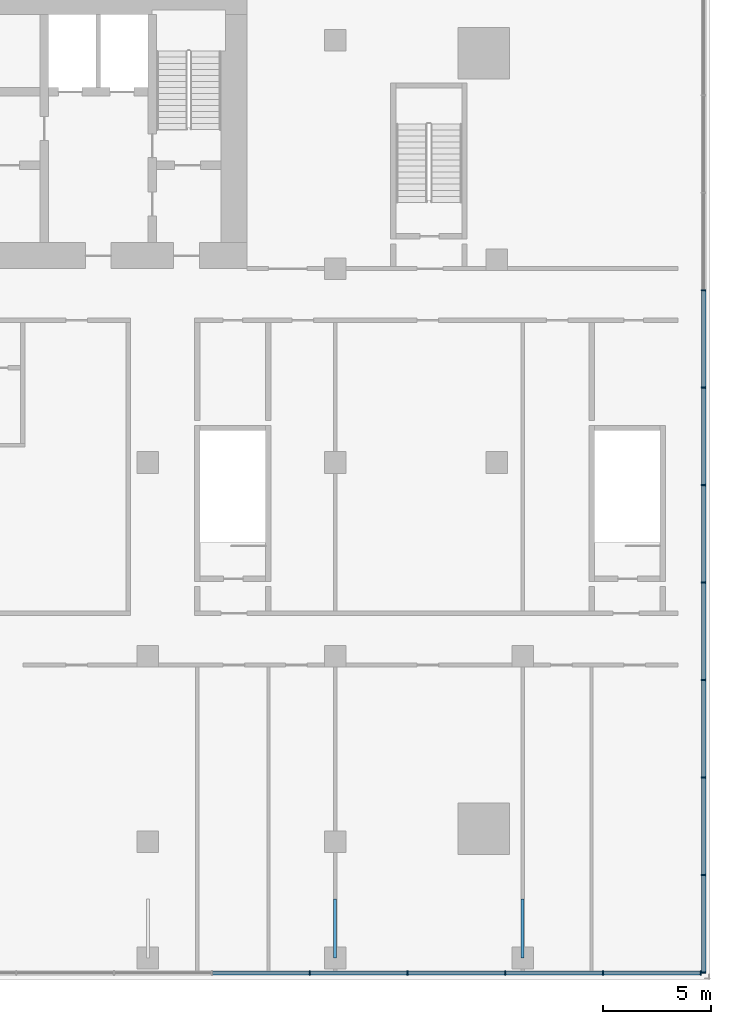
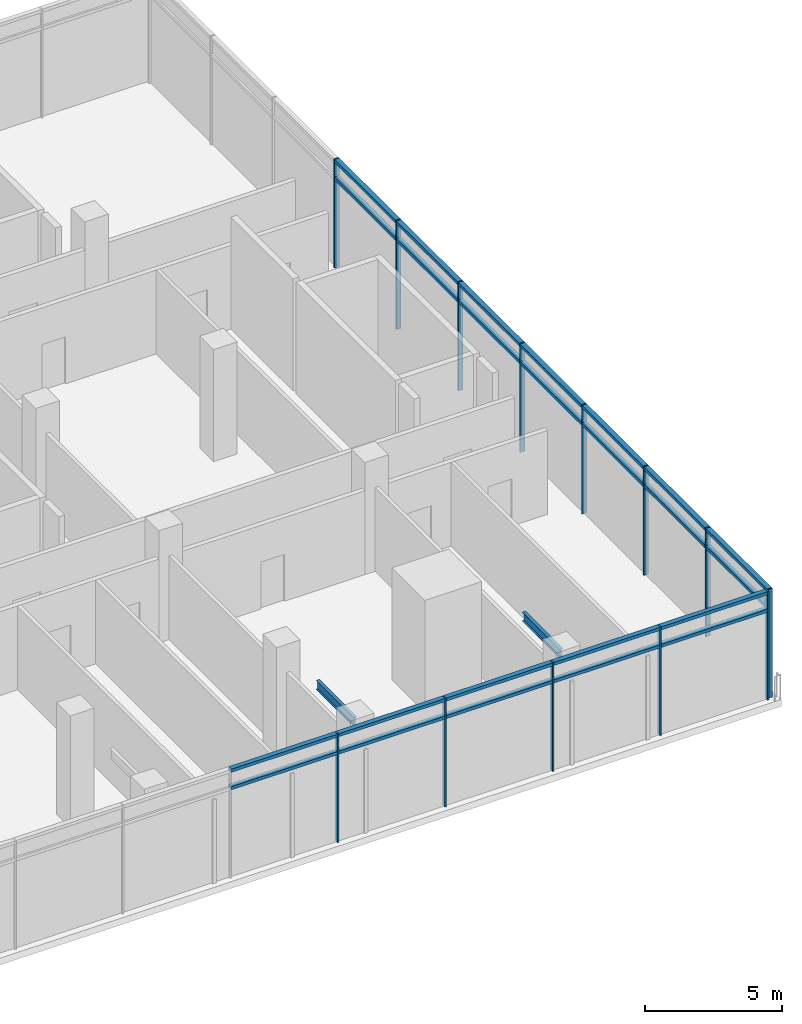
# One storey, part 7 of 17: 37 members, 2 beams, 2 elements without a shape of their own.
"""IFC4 building model written with IfcOpenShell, lengths in metres."""

from ifc_helpers import new_model, si_unit, direction, frame, origin, origin_2d, place, context, subcontext, project, spatial, rectangle, i_section, extrude, material, material_profile, profile_set, type_object, element, aggregate, save


model = new_model("IFC4")

# Units and contexts
model_context = context("Model", 3, precision=1e-05, world=origin(), true_north=direction((0.0, 1.0)))
body_context = subcontext(model_context, "Body", "Model", "MODEL_VIEW")
ifc_project = project(units=[si_unit("LENGTHUNIT", "METRE"), si_unit("AREAUNIT", "SQUARE_METRE"), si_unit("VOLUMEUNIT", "CUBIC_METRE"), si_unit("PLANEANGLEUNIT", "RADIAN"), si_unit("MASSUNIT", "GRAM", prefix="KILO")], contexts=[model_context])

# Site, building, storey
site_placement = place(None, origin())
site = spatial("IfcSite", under=ifc_project, at=site_placement, CompositionType="ELEMENT")
building_placement = place(site_placement, origin())
building = spatial("IfcBuilding", under=site, at=building_placement, Name="Bicima Exchange Tower", CompositionType="ELEMENT")
storey_placement = place(building_placement, frame((0.0, 0.0, 30.0)))
storey = spatial("IfcBuildingStorey", under=building, at=storey_placement, Name="L05", CompositionType="ELEMENT", Elevation=30.0)

# Curtain wall, members
ifc_material_1 = material(Name="Anodised bronze aluminium", Category="aluminium")
curtain_wall_type = type_object("IfcCurtainWallType", Name="Lobby glazing", PredefinedType="NOTDEFINED", material=ifc_material_1)
curtain_wall_1_placement = place(storey_placement, origin())
curtain_wall_1 = element("IfcCurtainWall", 1, at=curtain_wall_1_placement, inside=storey, type_object=curtain_wall_type, Name="Podium glazing L05 south 1", PredefinedType="NOTDEFINED")
ifc_material_profile_1 = material_profile(ifc_material_1, rectangle(XDim=0.199951171875, YDim=0.06005859375, at=origin_2d()))
ifc_profile_set_1 = profile_set([ifc_material_profile_1], Name="Anodised bronze aluminium")
member_type_1 = type_object("IfcMemberType", Name="Lobby glazing mullion 60 x 200", PredefinedType="MULLION", material=ifc_profile_set_1)
member_1_placement = place(storey_placement, frame((24.914306640625, -45.699951171875, 0.0), z_axis=(0.0, 0.0, 1.0), x_axis=(0.0, 1.0, 0.0)))
member_1 = element("IfcMember", 2, at=member_1_placement, type_object=member_type_1, Name="Lobby glazing mullion 16", PredefinedType="MULLION", context=body_context, shape_type="SweptSolid", body=[
    extrude(rectangle(XDim=0.199951171875, YDim=0.06005859375, at=origin_2d()), origin(), (0.0, 0.0, 1.0), 4.85009765625),
])
member_2_placement = place(storey_placement, frame((29.453125, -45.699951171875, 0.0), z_axis=(0.0, 0.0, 1.0), x_axis=(0.0, 1.0, 0.0)))
member_2 = element("IfcMember", 3, at=member_2_placement, type_object=member_type_1, Name="Lobby glazing mullion 17", PredefinedType="MULLION", context=body_context, shape_type="SweptSolid", body=[
    extrude(rectangle(XDim=0.199951171875, YDim=0.06005859375, at=origin_2d()), origin(), (0.0, 0.0, 1.0), 4.85009765625),
])
member_3_placement = place(storey_placement, frame((33.9921875, -45.699951171875, 0.0), z_axis=(0.0, 0.0, 1.0), x_axis=(0.0, 1.0, 0.0)))
member_3 = element("IfcMember", 4, at=member_3_placement, type_object=member_type_1, Name="Lobby glazing mullion 18", PredefinedType="MULLION", context=body_context, shape_type="SweptSolid", body=[
    extrude(rectangle(XDim=0.199951171875, YDim=0.06005859375, at=origin_2d()), origin(), (0.0, 0.0, 1.0), 4.85009765625),
])
member_4_placement = place(storey_placement, frame((38.531005859375, -45.699951171875, 0.0), z_axis=(0.0, 0.0, 1.0), x_axis=(0.0, 1.0, 0.0)))
member_4 = element("IfcMember", 5, at=member_4_placement, type_object=member_type_1, Name="Lobby glazing mullion 19", PredefinedType="MULLION", context=body_context, shape_type="SweptSolid", body=[
    extrude(rectangle(XDim=0.199951171875, YDim=0.06005859375, at=origin_2d()), origin(), (0.0, 0.0, 1.0), 4.85009765625),
])
member_5_placement = place(storey_placement, frame((43.070068359375, -45.699951171875, 0.0), z_axis=(0.0, 0.0, 1.0), x_axis=(0.0, 1.0, 0.0)))
member_5 = element("IfcMember", 6, at=member_5_placement, type_object=member_type_1, Name="Lobby glazing mullion 20", PredefinedType="MULLION", context=body_context, shape_type="SweptSolid", body=[
    extrude(rectangle(XDim=0.199951171875, YDim=0.06005859375, at=origin_2d()), origin(), (0.0, 0.0, 1.0), 4.85009765625),
])

curtain_wall_2_placement = place(storey_placement, origin())
curtain_wall_2 = element("IfcCurtainWall", 7, at=curtain_wall_2_placement, inside=storey, type_object=curtain_wall_type, Name="Podium glazing L05 east 1", PredefinedType="NOTDEFINED")
member_6_placement = place(storey_placement, frame((43.199951171875, -45.669921875, 0.0), z_axis=(0.0, 0.0, 1.0), x_axis=(-1.0, 0.0, 0.0)))
member_6 = element("IfcMember", 8, at=member_6_placement, type_object=member_type_1, Name="Lobby glazing mullion 1", PredefinedType="MULLION", context=body_context, shape_type="SweptSolid", body=[
    extrude(rectangle(XDim=0.199951171875, YDim=0.06005859375, at=origin_2d()), origin(), (0.0, 0.0, 1.0), 4.85009765625),
])
member_7_placement = place(storey_placement, frame((43.199951171875, -41.14599609375, 0.0), z_axis=(0.0, 0.0, 1.0), x_axis=(-1.0, 0.0, 0.0)))
member_7 = element("IfcMember", 9, at=member_7_placement, type_object=member_type_1, Name="Lobby glazing mullion 2", PredefinedType="MULLION", context=body_context, shape_type="SweptSolid", body=[
    extrude(rectangle(XDim=0.199951171875, YDim=0.06005859375, at=origin_2d()), origin(), (0.0, 0.0, 1.0), 4.85009765625),
])
member_8_placement = place(storey_placement, frame((43.199951171875, -36.6220703125, 0.0), z_axis=(0.0, 0.0, 1.0), x_axis=(-1.0, 0.0, 0.0)))
member_8 = element("IfcMember", 10, at=member_8_placement, type_object=member_type_1, Name="Lobby glazing mullion 3", PredefinedType="MULLION", context=body_context, shape_type="SweptSolid", body=[
    extrude(rectangle(XDim=0.199951171875, YDim=0.06005859375, at=origin_2d()), origin(), (0.0, 0.0, 1.0), 4.85009765625),
])
member_9_placement = place(storey_placement, frame((43.199951171875, -32.097900390625, 0.0), z_axis=(0.0, 0.0, 1.0), x_axis=(-1.0, 0.0, 0.0)))
member_9 = element("IfcMember", 11, at=member_9_placement, type_object=member_type_1, Name="Lobby glazing mullion 4", PredefinedType="MULLION", context=body_context, shape_type="SweptSolid", body=[
    extrude(rectangle(XDim=0.199951171875, YDim=0.06005859375, at=origin_2d()), origin(), (0.0, 0.0, 1.0), 4.85009765625),
])
member_10_placement = place(storey_placement, frame((43.199951171875, -27.573974609375, 0.0), z_axis=(0.0, 0.0, 1.0), x_axis=(-1.0, 0.0, 0.0)))
member_10 = element("IfcMember", 12, at=member_10_placement, type_object=member_type_1, Name="Lobby glazing mullion 5", PredefinedType="MULLION", context=body_context, shape_type="SweptSolid", body=[
    extrude(rectangle(XDim=0.199951171875, YDim=0.06005859375, at=origin_2d()), origin(), (0.0, 0.0, 1.0), 4.85009765625),
])
member_11_placement = place(storey_placement, frame((43.199951171875, -23.050048828125, 0.0), z_axis=(0.0, 0.0, 1.0), x_axis=(-1.0, 0.0, 0.0)))
member_11 = element("IfcMember", 13, at=member_11_placement, type_object=member_type_1, Name="Lobby glazing mullion 6", PredefinedType="MULLION", context=body_context, shape_type="SweptSolid", body=[
    extrude(rectangle(XDim=0.199951171875, YDim=0.06005859375, at=origin_2d()), origin(), (0.0, 0.0, 1.0), 4.85009765625),
])
member_12_placement = place(storey_placement, frame((43.199951171875, -18.52587890625, 0.0), z_axis=(0.0, 0.0, 1.0), x_axis=(-1.0, 0.0, 0.0)))
member_12 = element("IfcMember", 14, at=member_12_placement, type_object=member_type_1, Name="Lobby glazing mullion 7", PredefinedType="MULLION", context=body_context, shape_type="SweptSolid", body=[
    extrude(rectangle(XDim=0.199951171875, YDim=0.06005859375, at=origin_2d()), origin(), (0.0, 0.0, 1.0), 4.85009765625),
])
member_13_placement = place(storey_placement, frame((43.199951171875, -14.001953125, 0.0), z_axis=(0.0, 0.0, 1.0), x_axis=(-1.0, 0.0, 0.0)))
member_13 = element("IfcMember", 15, at=member_13_placement, type_object=member_type_1, Name="Lobby glazing mullion 8", PredefinedType="MULLION", context=body_context, shape_type="SweptSolid", body=[
    extrude(rectangle(XDim=0.199951171875, YDim=0.06005859375, at=origin_2d()), origin(), (0.0, 0.0, 1.0), 4.85009765625),
])

# Member
ifc_material_profile_2 = material_profile(ifc_material_1, rectangle(XDim=0.199951171875, YDim=0.139892578125, at=origin_2d()))
ifc_profile_set_2 = profile_set([ifc_material_profile_2], Name="Anodised bronze aluminium")
member_type_2 = type_object("IfcMemberType", Name="Lobby glazing transom 140 x 200", PredefinedType="USERDEFINED", material=ifc_profile_set_2)
member_14_placement = place(storey_placement, frame((20.4052734375, -45.699951171875, 4.0), z_axis=(1.0, 0.0, 0.0), x_axis=(0.0, 1.0, 0.0)))
member_14 = element("IfcMember", 16, at=member_14_placement, type_object=member_type_2, Name="Lobby glazing transom 15.1", ObjectType="TRANSOM", PredefinedType="USERDEFINED", context=body_context, shape_type="SweptSolid", body=[
    extrude(rectangle(XDim=0.199951171875, YDim=0.139892578125, at=origin_2d()), origin(), (0.0, 0.0, 1.0), 4.47900390625),
])

member_15_placement = place(storey_placement, frame((20.4052734375, -45.699951171875, 4.780029296875), z_axis=(1.0, 0.0, 0.0), x_axis=(0.0, 1.0, 0.0)))
member_15 = element("IfcMember", 17, at=member_15_placement, type_object=member_type_2, Name="Lobby glazing transom 15.2", ObjectType="TRANSOM", PredefinedType="USERDEFINED", context=body_context, shape_type="SweptSolid", body=[
    extrude(rectangle(XDim=0.199951171875, YDim=0.139892578125, at=origin_2d()), origin(), (0.0, 0.0, 1.0), 4.47900390625),
])

member_16_placement = place(storey_placement, frame((24.944091796875, -45.699951171875, 4.0), z_axis=(1.0, 0.0, 0.0), x_axis=(0.0, 1.0, 0.0)))
member_16 = element("IfcMember", 18, at=member_16_placement, type_object=member_type_2, Name="Lobby glazing transom 16.1", ObjectType="TRANSOM", PredefinedType="USERDEFINED", context=body_context, shape_type="SweptSolid", body=[
    extrude(rectangle(XDim=0.199951171875, YDim=0.139892578125, at=origin_2d()), origin(), (0.0, 0.0, 1.0), 4.47900390625),
])

member_17_placement = place(storey_placement, frame((24.944091796875, -45.699951171875, 4.780029296875), z_axis=(1.0, 0.0, 0.0), x_axis=(0.0, 1.0, 0.0)))
member_17 = element("IfcMember", 19, at=member_17_placement, type_object=member_type_2, Name="Lobby glazing transom 16.2", ObjectType="TRANSOM", PredefinedType="USERDEFINED", context=body_context, shape_type="SweptSolid", body=[
    extrude(rectangle(XDim=0.199951171875, YDim=0.139892578125, at=origin_2d()), origin(), (0.0, 0.0, 1.0), 4.47900390625),
])

member_18_placement = place(storey_placement, frame((29.483154296875, -45.699951171875, 4.0), z_axis=(1.0, 0.0, 0.0), x_axis=(0.0, 1.0, 0.0)))
member_18 = element("IfcMember", 20, at=member_18_placement, type_object=member_type_2, Name="Lobby glazing transom 17.1", ObjectType="TRANSOM", PredefinedType="USERDEFINED", context=body_context, shape_type="SweptSolid", body=[
    extrude(rectangle(XDim=0.199951171875, YDim=0.139892578125, at=origin_2d()), origin(), (0.0, 0.0, 1.0), 4.47900390625),
])

member_19_placement = place(storey_placement, frame((29.483154296875, -45.699951171875, 4.780029296875), z_axis=(1.0, 0.0, 0.0), x_axis=(0.0, 1.0, 0.0)))
member_19 = element("IfcMember", 21, at=member_19_placement, type_object=member_type_2, Name="Lobby glazing transom 17.2", ObjectType="TRANSOM", PredefinedType="USERDEFINED", context=body_context, shape_type="SweptSolid", body=[
    extrude(rectangle(XDim=0.199951171875, YDim=0.139892578125, at=origin_2d()), origin(), (0.0, 0.0, 1.0), 4.47900390625),
])

member_20_placement = place(storey_placement, frame((34.022216796875, -45.699951171875, 4.0), z_axis=(1.0, 0.0, 0.0), x_axis=(0.0, 1.0, 0.0)))
member_20 = element("IfcMember", 22, at=member_20_placement, type_object=member_type_2, Name="Lobby glazing transom 18.1", ObjectType="TRANSOM", PredefinedType="USERDEFINED", context=body_context, shape_type="SweptSolid", body=[
    extrude(rectangle(XDim=0.199951171875, YDim=0.139892578125, at=origin_2d()), origin(), (0.0, 0.0, 1.0), 4.47900390625),
])

member_21_placement = place(storey_placement, frame((34.022216796875, -45.699951171875, 4.780029296875), z_axis=(1.0, 0.0, 0.0), x_axis=(0.0, 1.0, 0.0)))
member_21 = element("IfcMember", 23, at=member_21_placement, type_object=member_type_2, Name="Lobby glazing transom 18.2", ObjectType="TRANSOM", PredefinedType="USERDEFINED", context=body_context, shape_type="SweptSolid", body=[
    extrude(rectangle(XDim=0.199951171875, YDim=0.139892578125, at=origin_2d()), origin(), (0.0, 0.0, 1.0), 4.47900390625),
])

member_22_placement = place(storey_placement, frame((38.56103515625, -45.699951171875, 4.0), z_axis=(1.0, 0.0, 0.0), x_axis=(0.0, 1.0, 0.0)))
member_22 = element("IfcMember", 24, at=member_22_placement, type_object=member_type_2, Name="Lobby glazing transom 19.1", ObjectType="TRANSOM", PredefinedType="USERDEFINED", context=body_context, shape_type="SweptSolid", body=[
    extrude(rectangle(XDim=0.199951171875, YDim=0.139892578125, at=origin_2d()), origin(), (0.0, 0.0, 1.0), 4.47900390625),
])

member_23_placement = place(storey_placement, frame((38.56103515625, -45.699951171875, 4.780029296875), z_axis=(1.0, 0.0, 0.0), x_axis=(0.0, 1.0, 0.0)))
member_23 = element("IfcMember", 25, at=member_23_placement, type_object=member_type_2, Name="Lobby glazing transom 19.2", ObjectType="TRANSOM", PredefinedType="USERDEFINED", context=body_context, shape_type="SweptSolid", body=[
    extrude(rectangle(XDim=0.199951171875, YDim=0.139892578125, at=origin_2d()), origin(), (0.0, 0.0, 1.0), 4.47900390625),
])

aggregate(curtain_wall_1, [member_1, member_2, member_3, member_4, member_5, member_14, member_15, member_16, member_17, member_18, member_19, member_20, member_21, member_22, member_23])

member_24_placement = place(storey_placement, frame((43.199951171875, -45.639892578125, 4.0), z_axis=(0.0, 1.0, 0.0), x_axis=(-1.0, 0.0, 0.0)))
member_24 = element("IfcMember", 26, at=member_24_placement, type_object=member_type_2, Name="Lobby glazing transom 1.1", ObjectType="TRANSOM", PredefinedType="USERDEFINED", context=body_context, shape_type="SweptSolid", body=[
    extrude(rectangle(XDim=0.199951171875, YDim=0.139892578125, at=origin_2d()), origin(), (0.0, 0.0, 1.0), 4.4638671875),
])

member_25_placement = place(storey_placement, frame((43.199951171875, -45.639892578125, 4.780029296875), z_axis=(0.0, 1.0, 0.0), x_axis=(-1.0, 0.0, 0.0)))
member_25 = element("IfcMember", 27, at=member_25_placement, type_object=member_type_2, Name="Lobby glazing transom 1.2", ObjectType="TRANSOM", PredefinedType="USERDEFINED", context=body_context, shape_type="SweptSolid", body=[
    extrude(rectangle(XDim=0.199951171875, YDim=0.139892578125, at=origin_2d()), origin(), (0.0, 0.0, 1.0), 4.4638671875),
])

member_26_placement = place(storey_placement, frame((43.199951171875, -41.115966796875, 4.0), z_axis=(0.0, 1.0, 0.0), x_axis=(-1.0, 0.0, 0.0)))
member_26 = element("IfcMember", 28, at=member_26_placement, type_object=member_type_2, Name="Lobby glazing transom 2.1", ObjectType="TRANSOM", PredefinedType="USERDEFINED", context=body_context, shape_type="SweptSolid", body=[
    extrude(rectangle(XDim=0.199951171875, YDim=0.139892578125, at=origin_2d()), origin(), (0.0, 0.0, 1.0), 4.4638671875),
])

member_27_placement = place(storey_placement, frame((43.199951171875, -41.115966796875, 4.780029296875), z_axis=(0.0, 1.0, 0.0), x_axis=(-1.0, 0.0, 0.0)))
member_27 = element("IfcMember", 29, at=member_27_placement, type_object=member_type_2, Name="Lobby glazing transom 2.2", ObjectType="TRANSOM", PredefinedType="USERDEFINED", context=body_context, shape_type="SweptSolid", body=[
    extrude(rectangle(XDim=0.199951171875, YDim=0.139892578125, at=origin_2d()), origin(), (0.0, 0.0, 1.0), 4.4638671875),
])

member_28_placement = place(storey_placement, frame((43.199951171875, -36.592041015625, 4.0), z_axis=(0.0, 1.0, 0.0), x_axis=(-1.0, 0.0, 0.0)))
member_28 = element("IfcMember", 30, at=member_28_placement, type_object=member_type_2, Name="Lobby glazing transom 3.1", ObjectType="TRANSOM", PredefinedType="USERDEFINED", context=body_context, shape_type="SweptSolid", body=[
    extrude(rectangle(XDim=0.199951171875, YDim=0.139892578125, at=origin_2d()), origin(), (0.0, 0.0, 1.0), 4.464111328125),
])

member_29_placement = place(storey_placement, frame((43.199951171875, -36.592041015625, 4.780029296875), z_axis=(0.0, 1.0, 0.0), x_axis=(-1.0, 0.0, 0.0)))
member_29 = element("IfcMember", 31, at=member_29_placement, type_object=member_type_2, Name="Lobby glazing transom 3.2", ObjectType="TRANSOM", PredefinedType="USERDEFINED", context=body_context, shape_type="SweptSolid", body=[
    extrude(rectangle(XDim=0.199951171875, YDim=0.139892578125, at=origin_2d()), origin(), (0.0, 0.0, 1.0), 4.464111328125),
])

member_30_placement = place(storey_placement, frame((43.199951171875, -32.068115234375, 4.0), z_axis=(0.0, 1.0, 0.0), x_axis=(-1.0, 0.0, 0.0)))
member_30 = element("IfcMember", 32, at=member_30_placement, type_object=member_type_2, Name="Lobby glazing transom 4.1", ObjectType="TRANSOM", PredefinedType="USERDEFINED", context=body_context, shape_type="SweptSolid", body=[
    extrude(rectangle(XDim=0.199951171875, YDim=0.139892578125, at=origin_2d()), origin(), (0.0, 0.0, 1.0), 4.464111328125),
])

member_31_placement = place(storey_placement, frame((43.199951171875, -32.068115234375, 4.780029296875), z_axis=(0.0, 1.0, 0.0), x_axis=(-1.0, 0.0, 0.0)))
member_31 = element("IfcMember", 33, at=member_31_placement, type_object=member_type_2, Name="Lobby glazing transom 4.2", ObjectType="TRANSOM", PredefinedType="USERDEFINED", context=body_context, shape_type="SweptSolid", body=[
    extrude(rectangle(XDim=0.199951171875, YDim=0.139892578125, at=origin_2d()), origin(), (0.0, 0.0, 1.0), 4.464111328125),
])

member_32_placement = place(storey_placement, frame((43.199951171875, -27.5439453125, 4.0), z_axis=(0.0, 1.0, 0.0), x_axis=(-1.0, 0.0, 0.0)))
member_32 = element("IfcMember", 34, at=member_32_placement, type_object=member_type_2, Name="Lobby glazing transom 5.1", ObjectType="TRANSOM", PredefinedType="USERDEFINED", context=body_context, shape_type="SweptSolid", body=[
    extrude(rectangle(XDim=0.199951171875, YDim=0.139892578125, at=origin_2d()), origin(), (0.0, 0.0, 1.0), 4.4638671875),
])

member_33_placement = place(storey_placement, frame((43.199951171875, -27.5439453125, 4.780029296875), z_axis=(0.0, 1.0, 0.0), x_axis=(-1.0, 0.0, 0.0)))
member_33 = element("IfcMember", 35, at=member_33_placement, type_object=member_type_2, Name="Lobby glazing transom 5.2", ObjectType="TRANSOM", PredefinedType="USERDEFINED", context=body_context, shape_type="SweptSolid", body=[
    extrude(rectangle(XDim=0.199951171875, YDim=0.139892578125, at=origin_2d()), origin(), (0.0, 0.0, 1.0), 4.4638671875),
])

member_34_placement = place(storey_placement, frame((43.199951171875, -23.02001953125, 4.0), z_axis=(0.0, 1.0, 0.0), x_axis=(-1.0, 0.0, 0.0)))
member_34 = element("IfcMember", 36, at=member_34_placement, type_object=member_type_2, Name="Lobby glazing transom 6.1", ObjectType="TRANSOM", PredefinedType="USERDEFINED", context=body_context, shape_type="SweptSolid", body=[
    extrude(rectangle(XDim=0.199951171875, YDim=0.139892578125, at=origin_2d()), origin(), (0.0, 0.0, 1.0), 4.464111328125),
])

member_35_placement = place(storey_placement, frame((43.199951171875, -23.02001953125, 4.780029296875), z_axis=(0.0, 1.0, 0.0), x_axis=(-1.0, 0.0, 0.0)))
member_35 = element("IfcMember", 37, at=member_35_placement, type_object=member_type_2, Name="Lobby glazing transom 6.2", ObjectType="TRANSOM", PredefinedType="USERDEFINED", context=body_context, shape_type="SweptSolid", body=[
    extrude(rectangle(XDim=0.199951171875, YDim=0.139892578125, at=origin_2d()), origin(), (0.0, 0.0, 1.0), 4.464111328125),
])

member_36_placement = place(storey_placement, frame((43.199951171875, -18.49609375, 4.0), z_axis=(0.0, 1.0, 0.0), x_axis=(-1.0, 0.0, 0.0)))
member_36 = element("IfcMember", 38, at=member_36_placement, type_object=member_type_2, Name="Lobby glazing transom 7.1", ObjectType="TRANSOM", PredefinedType="USERDEFINED", context=body_context, shape_type="SweptSolid", body=[
    extrude(rectangle(XDim=0.199951171875, YDim=0.139892578125, at=origin_2d()), origin(), (0.0, 0.0, 1.0), 4.464111328125),
])

member_37_placement = place(storey_placement, frame((43.199951171875, -18.49609375, 4.780029296875), z_axis=(0.0, 1.0, 0.0), x_axis=(-1.0, 0.0, 0.0)))
member_37 = element("IfcMember", 39, at=member_37_placement, type_object=member_type_2, Name="Lobby glazing transom 7.2", ObjectType="TRANSOM", PredefinedType="USERDEFINED", context=body_context, shape_type="SweptSolid", body=[
    extrude(rectangle(XDim=0.199951171875, YDim=0.139892578125, at=origin_2d()), origin(), (0.0, 0.0, 1.0), 4.464111328125),
])

aggregate(curtain_wall_2, [member_6, member_7, member_8, member_9, member_10, member_11, member_12, member_13, member_24, member_25, member_26, member_27, member_28, member_29, member_30, member_31, member_32, member_33, member_34, member_35, member_36, member_37])

# Beams
ifc_material_2 = material(Name="Steel ASTM A992 Gr 50", Category="steel")
ifc_material_profile_3 = material_profile(ifc_material_2, i_section(OverallWidth=0.140380859375, OverallDepth=0.40380859375, WebThickness=0.007080078125, FlangeThickness=0.01123046875, at=origin_2d()))
ifc_profile_set_3 = profile_set([ifc_material_profile_3], Name="Steel ASTM A992 Gr 50")
beam_type = type_object("IfcBeamType", Name="Podium roof cantilever beam W16x31", PredefinedType="BEAM", material=ifc_profile_set_3)
for number, where, z_axis, x_axis, name in (
    (40, (26.10009765625, -45.0, 4.498046875), (0.0, 1.0, 0.0), (-1.0, 0.0, 0.0), "Podium roof cantilever beam"),
    (41, (34.800048828125, -45.0, 4.498046875), (0.0, 1.0, 0.0), (-1.0, 0.0, 0.0), "Podium roof cantilever beam"),
):
    element("IfcBeam", number, at=place(storey_placement, frame(where, z_axis=z_axis, x_axis=x_axis)), inside=storey, type_object=beam_type, Name=name, PredefinedType="BEAM", context=body_context, shape_type="SweptSolid", body=[
        extrude(i_section(OverallWidth=0.140380859375, OverallDepth=0.40380859375, WebThickness=0.007080078125, FlangeThickness=0.01123046875, at=origin_2d()), origin(), (0.0, 0.0, 1.0), 2.75),
    ])

save(model, "model.ifc")
